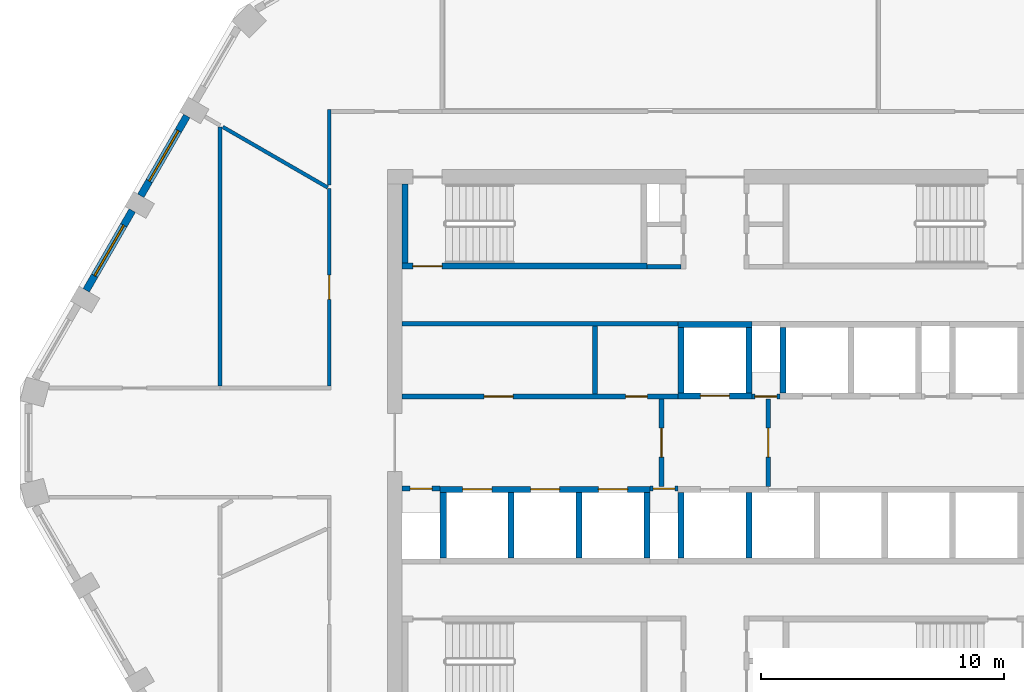
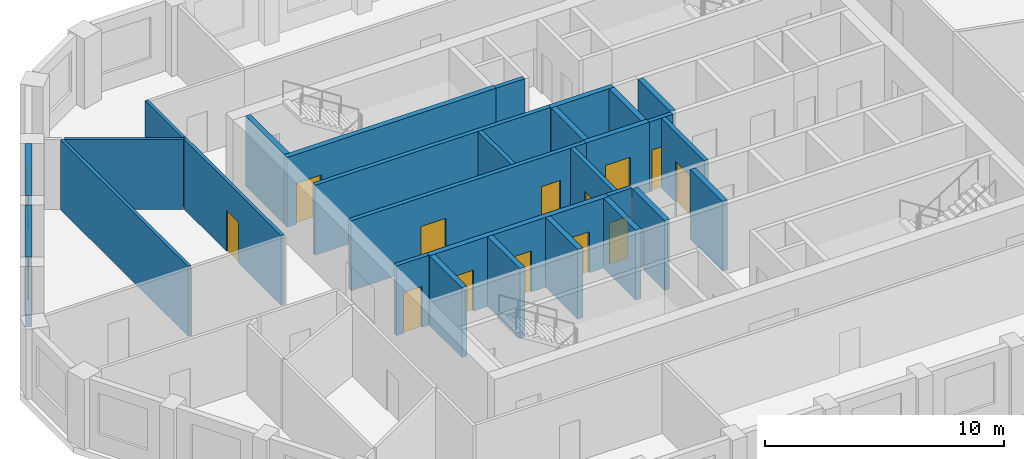
# One storey, part 3 of 10: 29 walls, 13 doors, 2 windows, 15 openings.
"""IFC4 building model written with IfcOpenShell, lengths in metres."""

from ifc_helpers import new_model, si_unit, direction, frame, frame_2d, origin, place, context, subcontext, project, spatial, polyline, rectangle, outline, extrude, material, layer, layer_set, type_object, element, fill, save


model = new_model("IFC4")

# Units and contexts
model_context = context("Model", 3, precision=1e-05, world=origin(), true_north=direction((0.0, 1.0)))
body_context = subcontext(model_context, "Body", "Model", "MODEL_VIEW")
ifc_project = project(units=[si_unit("LENGTHUNIT", "METRE"), si_unit("AREAUNIT", "SQUARE_METRE"), si_unit("VOLUMEUNIT", "CUBIC_METRE"), si_unit("PLANEANGLEUNIT", "RADIAN"), si_unit("MASSUNIT", "GRAM", prefix="KILO")], contexts=[model_context])

# Site, building, storey
site_placement = place(None, origin())
site = spatial("IfcSite", under=ifc_project, at=site_placement, CompositionType="ELEMENT")
building_placement = place(site_placement, origin())
building = spatial("IfcBuilding", under=site, at=building_placement, Name="Dhurran Vertical Campus", CompositionType="ELEMENT")
storey_placement = place(building_placement, frame((0.0, 0.0, 243.0)))
storey = spatial("IfcBuildingStorey", under=building, at=storey_placement, Name="L60", CompositionType="ELEMENT", Elevation=243.0)

# Wall, opening, window
ifc_material_1 = material(Name="Precast concrete C50/60", Category="concrete")
ifc_layer_1 = layer(ifc_material_1, 0.300048828125)
ifc_layer_set_1 = layer_set([ifc_layer_1], Name="Precast concrete C50/60")
wall_type_1 = type_object("IfcWallType", Name="Precast spandrel wall 300", PredefinedType="SOLIDWALL", material=ifc_layer_set_1)
wall_1_placement = place(storey_placement, frame((-21.769287109375, 13.462890625, 0.0), z_axis=(0.0, 0.0, 1.0), x_axis=(-0.499982058975, -0.866035761792, 0.0)))
wall_1 = element("IfcWall", 1, at=wall_1_placement, inside=storey, type_object=wall_type_1, Name="EW1 L60.27", PredefinedType="SOLIDWALL", context=body_context, shape_type="SweptSolid", body=[
    extrude(rectangle(XDim=3.799072265625, YDim=0.300048828125, at=frame_2d((1.8994140625, 0.0))), origin(), (0.0, 0.0, 1.0), 3.574951171875),
])
opening_1_placement = place(wall_1_placement, frame((0.699462890625, 0.0, 0.89990234375)))
opening_1 = element("IfcOpeningElement", 2, at=opening_1_placement, cuts=wall_1, Name="Opening WT1", PredefinedType="OPENING", context=body_context, shape_type="SweptSolid", body=[
    extrude(rectangle(XDim=2.39990234375, YDim=2.10009765625, at=frame_2d((1.199951171875, 1.050048828125))), frame((0.0, 0.159912109375, 0.0), z_axis=(0.0, -1.0, 0.0), x_axis=(1.0, 0.0, 0.0)), (0.0, 0.0, 1.0), 0.320068359375),
])
ifc_material_2 = material(Name="Aluminium frame with solar-control glass", Category="aluminium")
window_type = type_object("IfcWindowType", Name="Punched window 2400 x 2100", PartitioningType="SINGLE_PANEL", PredefinedType="WINDOW", material=ifc_material_2)
window_1_placement = place(opening_1_placement, origin())
window_1 = element("IfcWindow", 3, at=window_1_placement, inside=storey, type_object=window_type, Name="WT1 L60.27", OverallHeight=2.10009765625, OverallWidth=2.39990234375, PartitioningType="SINGLE_PANEL", PredefinedType="WINDOW", context=body_context, shape_type="SweptSolid", body=[
    extrude(rectangle(XDim=2.39990234375, YDim=2.10009765625, at=frame_2d((1.199951171875, 1.050048828125))), frame((0.0, 0.030029296875, 0.0), z_axis=(0.0, -1.0, 0.0), x_axis=(1.0, 0.0, 0.0)), (0.0, 0.0, 1.0), 0.06005859375),
])
fill(opening_1, window_1)

wall_2_placement = place(storey_placement, frame((-24.019287109375, 9.565673828125, 0.0), z_axis=(0.0, 0.0, 1.0), x_axis=(-0.499982058975, -0.866035761792, 0.0)))
wall_2 = element("IfcWall", 4, at=wall_2_placement, inside=storey, type_object=wall_type_1, Name="EW1 L60.28", PredefinedType="SOLIDWALL", context=body_context, shape_type="SweptSolid", body=[
    extrude(rectangle(XDim=3.799072265625, YDim=0.300048828125, at=frame_2d((1.8994140625, 0.0))), origin(), (0.0, 0.0, 1.0), 3.574951171875),
])
opening_2_placement = place(wall_2_placement, frame((0.699462890625, 0.0, 0.89990234375)))
opening_2 = element("IfcOpeningElement", 5, at=opening_2_placement, cuts=wall_2, Name="Opening WT1", PredefinedType="OPENING", context=body_context, shape_type="SweptSolid", body=[
    extrude(rectangle(XDim=2.39990234375, YDim=2.10009765625, at=frame_2d((1.199951171875, 1.050048828125))), frame((0.0, 0.159912109375, 0.0), z_axis=(0.0, -1.0, 0.0), x_axis=(1.0, 0.0, 0.0)), (0.0, 0.0, 1.0), 0.320068359375),
])
window_2_placement = place(opening_2_placement, origin())
window_2 = element("IfcWindow", 6, at=window_2_placement, inside=storey, type_object=window_type, Name="WT1 L60.28", OverallHeight=2.10009765625, OverallWidth=2.39990234375, PartitioningType="SINGLE_PANEL", PredefinedType="WINDOW", context=body_context, shape_type="SweptSolid", body=[
    extrude(rectangle(XDim=2.39990234375, YDim=2.10009765625, at=frame_2d((1.199951171875, 1.050048828125))), frame((0.0, 0.030029296875, 0.0), z_axis=(0.0, -1.0, 0.0), x_axis=(1.0, 0.0, 0.0)), (0.0, 0.0, 1.0), 0.06005859375),
])
fill(opening_2, window_2)

# Wall, opening, door
ifc_material_3 = material(Name="Fire-rated masonry blockwork", Category="masonry")
ifc_layer_2 = layer(ifc_material_3, 0.199951171875)
ifc_layer_set_2 = layer_set([ifc_layer_2], Name="Fire-rated masonry blockwork")
wall_type_2 = type_object("IfcWallType", Name="co-FIRE-PARTITION-200", PredefinedType="PARTITIONING", material=ifc_layer_set_2)
wall_3_placement = place(storey_placement, frame((-2.199951171875, -1.800048828125, 0.0), z_axis=(0.0, 0.0, 1.0), x_axis=(0.0, 1.0, 0.0)))
wall_3 = element("IfcWall", 7, at=wall_3_placement, inside=storey, type_object=wall_type_2, Name="Firefighting lobby wall W L60", PredefinedType="PARTITIONING", context=body_context, shape_type="SweptSolid", body=[
    extrude(rectangle(XDim=3.60009765625, YDim=0.199951171875, at=frame_2d((1.800048828125, 0.0))), origin(), (0.0, 0.0, 1.0), 3.574951171875),
])
opening_3_placement = place(wall_3_placement, frame((1.199951171875, 0.0, 0.0)))
opening_3 = element("IfcOpeningElement", 8, at=opening_3_placement, cuts=wall_3, Name="Opening FL1", PredefinedType="OPENING", context=body_context, shape_type="SweptSolid", body=[
    extrude(rectangle(XDim=1.199951171875, YDim=2.10009765625, at=frame_2d((0.60009765625, 1.050048828125))), frame((0.0, 0.10986328125, 0.0), z_axis=(0.0, -1.0, 0.0), x_axis=(1.0, 0.0, 0.0)), (0.0, 0.0, 1.0), 0.219970703125),
])
ifc_material_4 = material(Name="Fire-rated steel door set", Category="steel")
door_type_1 = type_object("IfcDoorType", Name="co-D-FFLOBBY 1200x2100", OperationType="SINGLE_SWING_LEFT", PredefinedType="DOOR", material=ifc_material_4)
door_1_placement = place(opening_3_placement, origin())
door_1 = element("IfcDoor", 9, at=door_1_placement, inside=storey, type_object=door_type_1, Name="Firefighting lobby door W L60", OperationType="SINGLE_SWING_LEFT", OverallHeight=2.10009765625, OverallWidth=1.199951171875, PredefinedType="DOOR", context=body_context, shape_type="SweptSolid", body=[
    extrude(rectangle(XDim=1.199951171875, YDim=2.10009765625, at=frame_2d((0.60009765625, 1.050048828125))), frame((0.0, 0.02490234375, 0.0), z_axis=(0.0, -1.0, 0.0), x_axis=(1.0, 0.0, 0.0)), (0.0, 0.0, 1.0), 0.050048828125),
])
fill(opening_3, door_1)

wall_4_placement = place(storey_placement, frame((2.199951171875, -1.800048828125, 0.0), z_axis=(0.0, 0.0, 1.0), x_axis=(0.0, 1.0, 0.0)))
wall_4 = element("IfcWall", 10, at=wall_4_placement, inside=storey, type_object=wall_type_2, Name="Firefighting lobby wall E L60", PredefinedType="PARTITIONING", context=body_context, shape_type="SweptSolid", body=[
    extrude(rectangle(XDim=3.60009765625, YDim=0.199951171875, at=frame_2d((1.800048828125, 0.0))), origin(), (0.0, 0.0, 1.0), 3.574951171875),
])
opening_4_placement = place(wall_4_placement, frame((1.199951171875, 0.0, 0.0)))
opening_4 = element("IfcOpeningElement", 11, at=opening_4_placement, cuts=wall_4, Name="Opening FL2", PredefinedType="OPENING", context=body_context, shape_type="SweptSolid", body=[
    extrude(rectangle(XDim=1.199951171875, YDim=2.10009765625, at=frame_2d((0.60009765625, 1.050048828125))), frame((0.0, 0.10986328125, 0.0), z_axis=(0.0, -1.0, 0.0), x_axis=(1.0, 0.0, 0.0)), (0.0, 0.0, 1.0), 0.219970703125),
])
door_2_placement = place(opening_4_placement, origin())
door_2 = element("IfcDoor", 12, at=door_2_placement, inside=storey, type_object=door_type_1, Name="Firefighting lobby door E L60", OperationType="SINGLE_SWING_LEFT", OverallHeight=2.10009765625, OverallWidth=1.199951171875, PredefinedType="DOOR", context=body_context, shape_type="SweptSolid", body=[
    extrude(rectangle(XDim=1.199951171875, YDim=2.10009765625, at=frame_2d((0.60009765625, 1.050048828125))), frame((0.0, 0.02490234375, 0.0), z_axis=(0.0, -1.0, 0.0), x_axis=(1.0, 0.0, 0.0)), (0.0, 0.0, 1.0), 0.050048828125),
])
fill(opening_4, door_2)

# Walls
wall_5_placement = place(storey_placement, frame((-2.800048828125, 7.25, 0.0), z_axis=(0.0, 0.0, 1.0), x_axis=(1.0, 0.0, 0.0)))
element("IfcWall", 13, at=wall_5_placement, inside=storey, type_object=wall_type_2, Name="Core partition sl-NW-S L60", PredefinedType="PARTITIONING", context=body_context, shape_type="SweptSolid", body=[
    extrude(rectangle(XDim=1.400146484375, YDim=0.199951171875, at=frame_2d((0.7001953125, 0.0))), origin(), (0.0, 0.0, 1.0), 3.574951171875),
])
wall_6_placement = place(storey_placement, frame((-4.9375, 2.0, 0.0), z_axis=(0.0, 0.0, 1.0), x_axis=(0.0, 1.0, 0.0)))
element("IfcWall", 14, at=wall_6_placement, inside=storey, type_object=wall_type_2, Name="Core partition fr-N0-cut0 L60", PredefinedType="PARTITIONING", context=body_context, shape_type="SweptSolid", body=[
    extrude(rectangle(XDim=2.800048828125, YDim=0.199951171875, at=frame_2d((1.39990234375, 0.0))), origin(), (0.0, 0.0, 1.0), 3.574951171875),
])

# Wall, openings, doors
wall_7_placement = place(storey_placement, frame((-12.89990234375, 1.89990234375, 0.0), z_axis=(0.0, 0.0, 1.0), x_axis=(1.0, 0.0, 0.0)))
wall_7 = element("IfcWall", 15, at=wall_7_placement, inside=storey, type_object=wall_type_2, Name="Core partition fr-N0-f L60", PredefinedType="PARTITIONING", context=body_context, shape_type="SweptSolid", body=[
    extrude(rectangle(XDim=11.375, YDim=0.199951171875, at=frame_2d((5.6875, 0.0))), origin(), (0.0, 0.0, 1.0), 3.574951171875),
])
opening_5_placement = place(wall_7_placement, frame((3.381103515625, 0.0, 0.0)))
opening_5 = element("IfcOpeningElement", 16, at=opening_5_placement, cuts=wall_7, Name="Opening T17-C8", PredefinedType="OPENING", context=body_context, shape_type="SweptSolid", body=[
    extrude(rectangle(XDim=1.199951171875, YDim=2.10009765625, at=frame_2d((0.60009765625, 1.050048828125))), frame((0.0, 0.10986328125, 0.0), z_axis=(0.0, -1.0, 0.0), x_axis=(1.0, 0.0, 0.0)), (0.0, 0.0, 1.0), 0.219970703125),
])
opening_6_placement = place(wall_7_placement, frame((9.21875, 0.0, 0.0)))
opening_6 = element("IfcOpeningElement", 17, at=opening_6_placement, cuts=wall_7, Name="Opening T17-C9", PredefinedType="OPENING", context=body_context, shape_type="SweptSolid", body=[
    extrude(rectangle(XDim=0.89990234375, YDim=2.10009765625, at=frame_2d((0.449951171875, 1.050048828125))), frame((0.0, 0.10986328125, 0.0), z_axis=(0.0, -1.0, 0.0), x_axis=(1.0, 0.0, 0.0)), (0.0, 0.0, 1.0), 0.219970703125),
])
ifc_material_5 = material(Name="Fire-rated timber door set", Category="wood")
door_type_2 = type_object("IfcDoorType", Name="co-D-ROOM 900x2100", OperationType="SINGLE_SWING_LEFT", PredefinedType="DOOR", material=ifc_material_5)
door_3_placement = place(opening_6_placement, origin())
door_3 = element("IfcDoor", 18, at=door_3_placement, inside=storey, type_object=door_type_2, Name="Cleaner's store door L60", OperationType="SINGLE_SWING_LEFT", OverallHeight=2.10009765625, OverallWidth=0.89990234375, PredefinedType="DOOR", context=body_context, shape_type="SweptSolid", body=[
    extrude(rectangle(XDim=0.89990234375, YDim=2.10009765625, at=frame_2d((0.449951171875, 1.050048828125))), frame((0.0, 0.02490234375, 0.0), z_axis=(0.0, -1.0, 0.0), x_axis=(1.0, 0.0, 0.0)), (0.0, 0.0, 1.0), 0.050048828125),
])
fill(opening_6, door_3)
ifc_material_6 = material(Name="Fire-rated steel door set", Category="steel")
door_type_3 = type_object("IfcDoorType", Name="co-D-ROOM-PASSAGE 1200x2100", OperationType="SINGLE_SWING_RIGHT", PredefinedType="DOOR", material=ifc_material_6)
door_4_placement = place(opening_5_placement, origin())
door_4 = element("IfcDoor", 19, at=door_4_placement, inside=storey, type_object=door_type_3, Name="Print room door L60", OperationType="SINGLE_SWING_RIGHT", OverallHeight=2.10009765625, OverallWidth=1.199951171875, PredefinedType="DOOR", context=body_context, shape_type="SweptSolid", body=[
    extrude(rectangle(XDim=1.199951171875, YDim=2.10009765625, at=frame_2d((0.60009765625, 1.050048828125))), frame((0.0, 0.02490234375, 0.0), z_axis=(0.0, -1.0, 0.0), x_axis=(1.0, 0.0, 0.0)), (0.0, 0.0, 1.0), 0.050048828125),
])
fill(opening_5, door_4)

# Wall
wall_8_placement = place(storey_placement, frame((-12.89990234375, 4.89990234375, 0.0), z_axis=(0.0, 0.0, 1.0), x_axis=(1.0, 0.0, 0.0)))
element("IfcWall", 20, at=wall_8_placement, inside=storey, type_object=wall_type_2, Name="Core partition fr-N0-b L60", PredefinedType="PARTITIONING", context=body_context, shape_type="SweptSolid", body=[
    extrude(rectangle(XDim=11.375, YDim=0.199951171875, at=frame_2d((5.6875, 0.0))), origin(), (0.0, 0.0, 1.0), 3.574951171875),
])

# Wall, opening, door
wall_9_placement = place(storey_placement, frame((1.52490234375, 1.89990234375, 0.0), z_axis=(0.0, 0.0, 1.0), x_axis=(1.0, 0.0, 0.0)))
wall_9 = element("IfcWall", 21, at=wall_9_placement, inside=storey, type_object=wall_type_2, Name="Core partition fr-N1-f L60", PredefinedType="PARTITIONING", context=body_context, shape_type="SweptSolid", body=[
    extrude(rectangle(XDim=1.150146484375, YDim=0.199951171875, at=frame_2d((0.5751953125, 0.0))), origin(), (0.0, 0.0, 1.0), 3.574951171875),
])
opening_7_placement = place(wall_9_placement, frame((0.125, 0.0, 0.0)))
opening_7 = element("IfcOpeningElement", 22, at=opening_7_placement, cuts=wall_9, Name="Opening T17-C10", PredefinedType="OPENING", context=body_context, shape_type="SweptSolid", body=[
    extrude(rectangle(XDim=0.89990234375, YDim=2.10009765625, at=frame_2d((0.449951171875, 1.050048828125))), frame((0.0, 0.10986328125, 0.0), z_axis=(0.0, -1.0, 0.0), x_axis=(1.0, 0.0, 0.0)), (0.0, 0.0, 1.0), 0.219970703125),
])
door_5_placement = place(opening_7_placement, origin())
door_5 = element("IfcDoor", 23, at=door_5_placement, inside=storey, type_object=door_type_2, Name="Communications riser door L60", OperationType="SINGLE_SWING_LEFT", OverallHeight=2.10009765625, OverallWidth=0.89990234375, PredefinedType="DOOR", context=body_context, shape_type="SweptSolid", body=[
    extrude(rectangle(XDim=0.89990234375, YDim=2.10009765625, at=frame_2d((0.449951171875, 1.050048828125))), frame((0.0, 0.02490234375, 0.0), z_axis=(0.0, -1.0, 0.0), x_axis=(1.0, 0.0, 0.0)), (0.0, 0.0, 1.0), 0.050048828125),
])
fill(opening_7, door_5)

wall_10_placement = place(storey_placement, frame((-12.89990234375, -1.89990234375, 0.0), z_axis=(0.0, 0.0, 1.0), x_axis=(1.0, 0.0, 0.0)))
wall_10 = element("IfcWall", 24, at=wall_10_placement, inside=storey, type_object=wall_type_2, Name="Core partition fr-S0-f L60", PredefinedType="PARTITIONING", context=body_context, shape_type="SweptSolid", body=[
    extrude(rectangle(XDim=1.574951171875, YDim=0.199951171875, at=frame_2d((0.78759765625, 0.0))), origin(), (0.0, 0.0, 1.0), 3.574951171875),
])
opening_8_placement = place(wall_10_placement, frame((0.33740234375, 0.0, 0.0)))
opening_8 = element("IfcOpeningElement", 25, at=opening_8_placement, cuts=wall_10, Name="Opening T17-C12", PredefinedType="OPENING", context=body_context, shape_type="SweptSolid", body=[
    extrude(rectangle(XDim=0.89990234375, YDim=2.10009765625, at=frame_2d((0.449951171875, 1.050048828125))), frame((0.0, 0.10986328125, 0.0), z_axis=(0.0, -1.0, 0.0), x_axis=(1.0, 0.0, 0.0)), (0.0, 0.0, 1.0), 0.219970703125),
])
door_6_placement = place(opening_8_placement, origin())
door_6 = element("IfcDoor", 26, at=door_6_placement, inside=storey, type_object=door_type_2, Name="Electrical riser door L60", OperationType="SINGLE_SWING_LEFT", OverallHeight=2.10009765625, OverallWidth=0.89990234375, PredefinedType="DOOR", context=body_context, shape_type="SweptSolid", body=[
    extrude(rectangle(XDim=0.89990234375, YDim=2.10009765625, at=frame_2d((0.449951171875, 1.050048828125))), frame((0.0, 0.02490234375, 0.0), z_axis=(0.0, -1.0, 0.0), x_axis=(1.0, 0.0, 0.0)), (0.0, 0.0, 1.0), 0.050048828125),
])
fill(opening_8, door_6)

wall_11_placement = place(storey_placement, frame((-2.675048828125, -1.89990234375, 0.0), z_axis=(0.0, 0.0, 1.0), x_axis=(1.0, 0.0, 0.0)))
wall_11 = element("IfcWall", 27, at=wall_11_placement, inside=storey, type_object=wall_type_2, Name="Core partition fr-S1-f L60", PredefinedType="PARTITIONING", context=body_context, shape_type="SweptSolid", body=[
    extrude(rectangle(XDim=1.150146484375, YDim=0.199951171875, at=frame_2d((0.5751953125, 0.0))), origin(), (0.0, 0.0, 1.0), 3.574951171875),
])
opening_9_placement = place(wall_11_placement, frame((0.125, 0.0, 0.0)))
opening_9 = element("IfcOpeningElement", 28, at=opening_9_placement, cuts=wall_11, Name="Opening T17-C13", PredefinedType="OPENING", context=body_context, shape_type="SweptSolid", body=[
    extrude(rectangle(XDim=0.89990234375, YDim=2.10009765625, at=frame_2d((0.449951171875, 1.050048828125))), frame((0.0, 0.10986328125, 0.0), z_axis=(0.0, -1.0, 0.0), x_axis=(1.0, 0.0, 0.0)), (0.0, 0.0, 1.0), 0.219970703125),
])
door_7_placement = place(opening_9_placement, origin())
door_7 = element("IfcDoor", 29, at=door_7_placement, inside=storey, type_object=door_type_2, Name="Communications riser door L60", OperationType="SINGLE_SWING_LEFT", OverallHeight=2.10009765625, OverallWidth=0.89990234375, PredefinedType="DOOR", context=body_context, shape_type="SweptSolid", body=[
    extrude(rectangle(XDim=0.89990234375, YDim=2.10009765625, at=frame_2d((0.449951171875, 1.050048828125))), frame((0.0, 0.02490234375, 0.0), z_axis=(0.0, -1.0, 0.0), x_axis=(1.0, 0.0, 0.0)), (0.0, 0.0, 1.0), 0.050048828125),
])
fill(opening_9, door_7)

ifc_material_7 = material(Name="Concrete C50/60", Category="concrete")
ifc_layer_3 = layer(ifc_material_7, 0.25)
ifc_layer_set_3 = layer_set([ifc_layer_3], Name="Concrete C50/60")
wall_type_3 = type_object("IfcWallType", Name="co-SHAFT-FRONT-250", PredefinedType="SHEAR", material=ifc_layer_set_3)
wall_12_placement = place(storey_placement, frame((-1.52490234375, 1.925048828125, 0.0), z_axis=(0.0, 0.0, 1.0), x_axis=(1.0, 0.0, 0.0)))
wall_12 = element("IfcWall", 30, at=wall_12_placement, inside=storey, type_object=wall_type_3, Name="Lift landing wall N L60", PredefinedType="SHEAR", context=body_context, shape_type="SweptSolid", body=[
    extrude(rectangle(XDim=3.0498046875, YDim=0.25, at=frame_2d((1.52490234375, 0.0))), origin(), (0.0, 0.0, 1.0), 3.574951171875),
])
opening_10_placement = place(wall_12_placement, frame((0.925048828125, 0.0, 0.0)))
opening_10 = element("IfcOpeningElement", 31, at=opening_10_placement, cuts=wall_12, Name="Opening LD", PredefinedType="OPENING", context=body_context, shape_type="SweptSolid", body=[
    extrude(rectangle(XDim=1.199951171875, YDim=2.10009765625, at=frame_2d((0.60009765625, 1.050048828125))), frame((0.0, 0.135009765625, 0.0), z_axis=(0.0, -1.0, 0.0), x_axis=(1.0, 0.0, 0.0)), (0.0, 0.0, 1.0), 0.27001953125),
])
ifc_material_8 = material(Name="Stainless steel landing door", Category="steel")
door_type_4 = type_object("IfcDoorType", Name="co-D-LANDING 1200x2100", OperationType="DOUBLE_DOOR_SLIDING", PredefinedType="DOOR", material=ifc_material_8)
door_8_placement = place(opening_10_placement, origin())
door_8 = element("IfcDoor", 32, at=door_8_placement, inside=storey, type_object=door_type_4, Name="Landing door FF1 L60", OperationType="DOUBLE_DOOR_SLIDING", OverallHeight=2.10009765625, OverallWidth=1.199951171875, PredefinedType="DOOR", context=body_context, shape_type="SweptSolid", body=[
    extrude(rectangle(XDim=1.199951171875, YDim=2.10009765625, at=frame_2d((0.60009765625, 1.050048828125))), frame((0.0, 0.02490234375, 0.0), z_axis=(0.0, -1.0, 0.0), x_axis=(1.0, 0.0, 0.0)), (0.0, 0.0, 1.0), 0.050048828125),
])
fill(opening_10, door_8)

# Wall, openings, doors
wall_13_placement = place(storey_placement, frame((-11.324951171875, -1.925048828125, 0.0), z_axis=(0.0, 0.0, 1.0), x_axis=(1.0, 0.0, 0.0)))
wall_13 = element("IfcWall", 33, at=wall_13_placement, inside=storey, type_object=wall_type_3, Name="Lift landing wall S L60", PredefinedType="SHEAR", context=body_context, shape_type="SweptSolid", body=[
    extrude(rectangle(XDim=8.64990234375, YDim=0.25, at=frame_2d((4.324951171875, 0.0))), origin(), (0.0, 0.0, 1.0), 3.574951171875),
])
opening_11_placement = place(wall_13_placement, frame((0.925048828125, 0.0, 0.0)))
opening_11 = element("IfcOpeningElement", 34, at=opening_11_placement, cuts=wall_13, Name="Opening LD", PredefinedType="OPENING", context=body_context, shape_type="SweptSolid", body=[
    extrude(rectangle(XDim=1.199951171875, YDim=2.10009765625, at=frame_2d((0.60009765625, 1.050048828125))), frame((0.0, 0.135009765625, 0.0), z_axis=(0.0, -1.0, 0.0), x_axis=(1.0, 0.0, 0.0)), (0.0, 0.0, 1.0), 0.27001953125),
])
opening_12_placement = place(wall_13_placement, frame((3.72509765625, 0.0, 0.0)))
opening_12 = element("IfcOpeningElement", 35, at=opening_12_placement, cuts=wall_13, Name="Opening LD", PredefinedType="OPENING", context=body_context, shape_type="SweptSolid", body=[
    extrude(rectangle(XDim=1.199951171875, YDim=2.10009765625, at=frame_2d((0.60009765625, 1.050048828125))), frame((0.0, 0.135009765625, 0.0), z_axis=(0.0, -1.0, 0.0), x_axis=(1.0, 0.0, 0.0)), (0.0, 0.0, 1.0), 0.27001953125),
])
opening_13_placement = place(wall_13_placement, frame((6.52490234375, 0.0, 0.0)))
opening_13 = element("IfcOpeningElement", 36, at=opening_13_placement, cuts=wall_13, Name="Opening LD", PredefinedType="OPENING", context=body_context, shape_type="SweptSolid", body=[
    extrude(rectangle(XDim=1.199951171875, YDim=2.10009765625, at=frame_2d((0.60009765625, 1.050048828125))), frame((0.0, 0.135009765625, 0.0), z_axis=(0.0, -1.0, 0.0), x_axis=(1.0, 0.0, 0.0)), (0.0, 0.0, 1.0), 0.27001953125),
])
door_9_placement = place(opening_11_placement, origin())
door_9 = element("IfcDoor", 37, at=door_9_placement, inside=storey, type_object=door_type_4, Name="Landing door HR3 L60", OperationType="DOUBLE_DOOR_SLIDING", OverallHeight=2.10009765625, OverallWidth=1.199951171875, PredefinedType="DOOR", context=body_context, shape_type="SweptSolid", body=[
    extrude(rectangle(XDim=1.199951171875, YDim=2.10009765625, at=frame_2d((0.60009765625, 1.050048828125))), frame((0.0, 0.02490234375, 0.0), z_axis=(0.0, -1.0, 0.0), x_axis=(1.0, 0.0, 0.0)), (0.0, 0.0, 1.0), 0.050048828125),
])
fill(opening_11, door_9)
door_10_placement = place(opening_12_placement, origin())
door_10 = element("IfcDoor", 38, at=door_10_placement, inside=storey, type_object=door_type_4, Name="Landing door HR4 L60", OperationType="DOUBLE_DOOR_SLIDING", OverallHeight=2.10009765625, OverallWidth=1.199951171875, PredefinedType="DOOR", context=body_context, shape_type="SweptSolid", body=[
    extrude(rectangle(XDim=1.199951171875, YDim=2.10009765625, at=frame_2d((0.60009765625, 1.050048828125))), frame((0.0, 0.02490234375, 0.0), z_axis=(0.0, -1.0, 0.0), x_axis=(1.0, 0.0, 0.0)), (0.0, 0.0, 1.0), 0.050048828125),
])
fill(opening_12, door_10)
door_11_placement = place(opening_13_placement, origin())
door_11 = element("IfcDoor", 39, at=door_11_placement, inside=storey, type_object=door_type_4, Name="Landing door HR5 L60", OperationType="DOUBLE_DOOR_SLIDING", OverallHeight=2.10009765625, OverallWidth=1.199951171875, PredefinedType="DOOR", context=body_context, shape_type="SweptSolid", body=[
    extrude(rectangle(XDim=1.199951171875, YDim=2.10009765625, at=frame_2d((0.60009765625, 1.050048828125))), frame((0.0, 0.02490234375, 0.0), z_axis=(0.0, -1.0, 0.0), x_axis=(1.0, 0.0, 0.0)), (0.0, 0.0, 1.0), 0.050048828125),
])
fill(opening_13, door_11)

# Walls
ifc_material_9 = material(Name="Concrete C50/60", Category="concrete")
ifc_layer_4 = layer(ifc_material_9, 0.25)
ifc_layer_set_4 = layer_set([ifc_layer_4], Name="Concrete C50/60")
wall_type_4 = type_object("IfcWallType", Name="co-SHAFT-MASS-250", PredefinedType="SHEAR", material=ifc_layer_set_4)
wall_14_placement = place(storey_placement, origin())
element("IfcWall", 40, at=wall_14_placement, inside=storey, type_object=wall_type_4, Name="Lift shaft wall N L60 1", PredefinedType="SHEAR", context=body_context, shape_type="SweptSolid", body=[
    extrude(outline(polyline([(-1.52490234375, 4.75), (1.52490234375, 4.75), (1.52490234375, 5.0), (-1.52490234375, 5.0), (-1.52490234375, 4.75)])), origin(), (0.0, 0.0, 1.0), 3.574951171875),
])
wall_15_placement = place(storey_placement, origin())
element("IfcWall", 41, at=wall_15_placement, inside=storey, type_object=wall_type_4, Name="Lift shaft wall N L60 4", PredefinedType="SHEAR", context=body_context, shape_type="SweptSolid", body=[
    extrude(outline(polyline([(-1.52490234375, 2.050048828125), (-1.27490234375, 2.050048828125), (-1.27490234375, 4.75), (-1.52490234375, 4.75), (-1.52490234375, 2.050048828125)])), origin(), (0.0, 0.0, 1.0), 3.574951171875),
])
wall_16_placement = place(storey_placement, origin())
element("IfcWall", 42, at=wall_16_placement, inside=storey, type_object=wall_type_4, Name="Lift shaft wall N L60 5", PredefinedType="SHEAR", context=body_context, shape_type="SweptSolid", body=[
    extrude(outline(polyline([(1.27490234375, 2.050048828125), (1.52490234375, 2.050048828125), (1.52490234375, 4.75), (1.27490234375, 4.75), (1.27490234375, 2.050048828125)])), origin(), (0.0, 0.0, 1.0), 3.574951171875),
])
wall_17_placement = place(storey_placement, origin())
element("IfcWall", 43, at=wall_17_placement, inside=storey, type_object=wall_type_4, Name="Lift shaft wall N L60 6", PredefinedType="SHEAR", context=body_context, shape_type="SweptSolid", body=[
    extrude(outline(polyline([(2.675048828125, 2.050048828125), (2.925048828125, 2.050048828125), (2.925048828125, 4.75), (2.675048828125, 4.75), (2.675048828125, 2.050048828125)])), origin(), (0.0, 0.0, 1.0), 3.574951171875),
])
wall_18_placement = place(storey_placement, origin())
element("IfcWall", 44, at=wall_18_placement, inside=storey, type_object=wall_type_4, Name="Lift shaft wall S L60 3", PredefinedType="SHEAR", context=body_context, shape_type="SweptSolid", body=[
    extrude(outline(polyline([(-11.324951171875, -4.75), (-11.074951171875, -4.75), (-11.074951171875, -2.050048828125), (-11.324951171875, -2.050048828125), (-11.324951171875, -4.75)])), origin(), (0.0, 0.0, 1.0), 3.574951171875),
])
wall_19_placement = place(storey_placement, origin())
element("IfcWall", 45, at=wall_19_placement, inside=storey, type_object=wall_type_4, Name="Lift shaft wall S L60 4", PredefinedType="SHEAR", context=body_context, shape_type="SweptSolid", body=[
    extrude(outline(polyline([(-8.52490234375, -4.75), (-8.27490234375, -4.75), (-8.27490234375, -2.050048828125), (-8.52490234375, -2.050048828125), (-8.52490234375, -4.75)])), origin(), (0.0, 0.0, 1.0), 3.574951171875),
])
wall_20_placement = place(storey_placement, origin())
element("IfcWall", 46, at=wall_20_placement, inside=storey, type_object=wall_type_4, Name="Lift shaft wall S L60 5", PredefinedType="SHEAR", context=body_context, shape_type="SweptSolid", body=[
    extrude(outline(polyline([(-5.72509765625, -4.75), (-5.47509765625, -4.75), (-5.47509765625, -2.050048828125), (-5.72509765625, -2.050048828125), (-5.72509765625, -4.75)])), origin(), (0.0, 0.0, 1.0), 3.574951171875),
])
wall_21_placement = place(storey_placement, origin())
element("IfcWall", 47, at=wall_21_placement, inside=storey, type_object=wall_type_4, Name="Lift shaft wall S L60 6", PredefinedType="SHEAR", context=body_context, shape_type="SweptSolid", body=[
    extrude(outline(polyline([(-2.925048828125, -4.75), (-2.675048828125, -4.75), (-2.675048828125, -2.050048828125), (-2.925048828125, -2.050048828125), (-2.925048828125, -4.75)])), origin(), (0.0, 0.0, 1.0), 3.574951171875),
])
wall_22_placement = place(storey_placement, origin())
element("IfcWall", 48, at=wall_22_placement, inside=storey, type_object=wall_type_4, Name="Lift shaft wall S L60 7", PredefinedType="SHEAR", context=body_context, shape_type="SweptSolid", body=[
    extrude(outline(polyline([(-1.52490234375, -4.75), (-1.27490234375, -4.75), (-1.27490234375, -2.050048828125), (-1.52490234375, -2.050048828125), (-1.52490234375, -4.75)])), origin(), (0.0, 0.0, 1.0), 3.574951171875),
])
wall_23_placement = place(storey_placement, origin())
element("IfcWall", 49, at=wall_23_placement, inside=storey, type_object=wall_type_4, Name="Lift shaft wall S L60 8", PredefinedType="SHEAR", context=body_context, shape_type="SweptSolid", body=[
    extrude(outline(polyline([(1.27490234375, -4.75), (1.52490234375, -4.75), (1.52490234375, -2.050048828125), (1.27490234375, -2.050048828125), (1.27490234375, -4.75)])), origin(), (0.0, 0.0, 1.0), 3.574951171875),
])

# Wall, opening, door
ifc_material_10 = material(Name="Concrete C40/50", Category="concrete")
ifc_layer_5 = layer(ifc_material_10, 0.25)
ifc_layer_set_5 = layer_set([ifc_layer_5], Name="Concrete C40/50")
wall_type_5 = type_object("IfcWallType", Name="co-STAIR-WALL-250", PredefinedType="SHEAR", material=ifc_layer_set_5)
wall_24_placement = place(storey_placement, frame((-12.89990234375, 7.27490234375, 0.0), z_axis=(0.0, 0.0, 1.0), x_axis=(1.0, 0.0, 0.0)))
wall_24 = element("IfcWall", 50, at=wall_24_placement, inside=storey, type_object=wall_type_5, Name="Stair ST1 enclosure wall L60", PredefinedType="SHEAR", context=body_context, shape_type="SweptSolid", body=[
    extrude(rectangle(XDim=10.099853515625, YDim=0.25, at=frame_2d((5.0498046875, 0.0))), origin(), (0.0, 0.0, 1.0), 3.574951171875),
])
opening_14_placement = place(wall_24_placement, frame((0.449951171875, 0.0, 0.0)))
opening_14 = element("IfcOpeningElement", 51, at=opening_14_placement, cuts=wall_24, Name="Opening SD1", PredefinedType="OPENING", context=body_context, shape_type="SweptSolid", body=[
    extrude(rectangle(XDim=1.199951171875, YDim=2.10009765625, at=frame_2d((0.60009765625, 1.050048828125))), frame((0.0, 0.135009765625, 0.0), z_axis=(0.0, -1.0, 0.0), x_axis=(1.0, 0.0, 0.0)), (0.0, 0.0, 1.0), 0.27001953125),
])
ifc_material_11 = material(Name="Fire-rated steel door set", Category="steel")
door_type_5 = type_object("IfcDoorType", Name="co-D-STAIR 1200x2100", OperationType="SINGLE_SWING_LEFT", PredefinedType="DOOR", material=ifc_material_11)
door_12_placement = place(opening_14_placement, origin())
door_12 = element("IfcDoor", 52, at=door_12_placement, inside=storey, type_object=door_type_5, Name="Stair ST1 door L60", OperationType="SINGLE_SWING_LEFT", OverallHeight=2.10009765625, OverallWidth=1.199951171875, PredefinedType="DOOR", context=body_context, shape_type="SweptSolid", body=[
    extrude(rectangle(XDim=1.199951171875, YDim=2.10009765625, at=frame_2d((0.60009765625, 1.050048828125))), frame((0.0, 0.02490234375, 0.0), z_axis=(0.0, -1.0, 0.0), x_axis=(1.0, 0.0, 0.0)), (0.0, 0.0, 1.0), 0.050048828125),
])
fill(opening_14, door_12)

# Wall
wall_25_placement = place(storey_placement, frame((-12.77490234375, 7.39990234375, 0.0), z_axis=(0.0, 0.0, 1.0), x_axis=(0.0, 1.0, 0.0)))
element("IfcWall", 53, at=wall_25_placement, inside=storey, type_object=wall_type_5, Name="Stair ST1 enclosure wall L60", PredefinedType="SHEAR", context=body_context, shape_type="SweptSolid", body=[
    extrude(rectangle(XDim=3.25, YDim=0.25, at=frame_2d((1.625, 0.0))), origin(), (0.0, 0.0, 1.0), 3.574951171875),
])

# Wall, opening, door
ifc_material_12 = material(Name="Gypsum board corridor wall on steel studs", Category="steel")
ifc_layer_6 = layer(ifc_material_12, 0.14990234375)
ifc_layer_set_6 = layer_set([ifc_layer_6], Name="Gypsum board corridor wall on steel studs")
wall_type_6 = type_object("IfcWallType", Name="fl-CW-150 corridor wall", PredefinedType="PARTITIONING", material=ifc_layer_set_6)
wall_26_placement = place(storey_placement, frame((-15.89990234375, 10.47900390625, 0.0), z_axis=(0.0, 0.0, 1.0), x_axis=(0.0, -1.0, 0.0)))
wall_26 = element("IfcWall", 54, at=wall_26_placement, inside=storey, type_object=wall_type_6, Name="Partition 60-18", PredefinedType="PARTITIONING", context=body_context, shape_type="SweptSolid", body=[
    extrude(rectangle(XDim=8.154052734375, YDim=0.14990234375, at=frame_2d((4.0771484375, 0.0))), origin(), (0.0, 0.0, 1.0), 3.574951171875),
])
opening_15_placement = place(wall_26_placement, frame((3.576904296875, 0.0, 0.0)))
opening_15 = element("IfcOpeningElement", 55, at=opening_15_placement, cuts=wall_26, Name="Opening T17.04", PredefinedType="OPENING", context=body_context, shape_type="SweptSolid", body=[
    extrude(rectangle(XDim=1.0, YDim=2.10009765625, at=frame_2d((0.5, 1.050048828125))), frame((0.0, 0.0849609375, 0.0), z_axis=(0.0, -1.0, 0.0), x_axis=(1.0, 0.0, 0.0)), (0.0, 0.0, 1.0), 0.169921875),
])
ifc_material_13 = material(Name="Solid-core timber door set, fire-rated", Category="wood")
door_type_6 = type_object("IfcDoorType", Name="fl-D-1000x2100", OperationType="SINGLE_SWING_LEFT", PredefinedType="DOOR", material=ifc_material_13)
door_13_placement = place(opening_15_placement, origin())
door_13 = element("IfcDoor", 56, at=door_13_placement, inside=storey, type_object=door_type_6, Name="Door 60.04", OperationType="SINGLE_SWING_LEFT", OverallHeight=2.10009765625, OverallWidth=1.0, PredefinedType="DOOR", context=body_context, shape_type="SweptSolid", body=[
    extrude(rectangle(XDim=1.0, YDim=2.10009765625, at=frame_2d((0.5, 1.050048828125))), frame((0.0, 0.02490234375, 0.0), z_axis=(0.0, -1.0, 0.0), x_axis=(1.0, 0.0, 0.0)), (0.0, 0.0, 1.0), 0.050048828125),
])
fill(opening_15, door_13)

# Walls
wall_27_placement = place(storey_placement, frame((-15.89990234375, 13.72509765625, 0.0), z_axis=(0.0, 0.0, 1.0), x_axis=(0.0, -1.0, 0.0)))
element("IfcWall", 57, at=wall_27_placement, inside=storey, type_object=wall_type_6, Name="Partition 60-19", PredefinedType="PARTITIONING", context=body_context, shape_type="SweptSolid", body=[
    extrude(rectangle(XDim=3.1162109375, YDim=0.14990234375, at=frame_2d((1.55810546875, 0.0))), origin(), (0.0, 0.0, 1.0), 3.574951171875),
])
ifc_material_14 = material(Name="Gypsum board partition on steel studs", Category="steel")
ifc_layer_7 = layer(ifc_material_14, 0.14990234375)
ifc_layer_set_7 = layer_set([ifc_layer_7], Name="Gypsum board partition on steel studs")
wall_type_7 = type_object("IfcWallType", Name="fl-PW-150 fixed partition", PredefinedType="PARTITIONING", material=ifc_layer_set_7)
wall_28_placement = place(storey_placement, frame((-20.39990234375, 13.001953125, 0.0), z_axis=(0.0, 0.0, 1.0), x_axis=(0.0, -1.0, 0.0)))
element("IfcWall", 58, at=wall_28_placement, inside=storey, type_object=wall_type_7, Name="Partition 60-10", PredefinedType="PARTITIONING", context=body_context, shape_type="SweptSolid", body=[
    extrude(rectangle(XDim=10.677001953125, YDim=0.14990234375, at=frame_2d((5.33837890625, 0.0))), origin(), (0.0, 0.0, 1.0), 3.574951171875),
])
wall_29_placement = place(storey_placement, frame((-20.287353515625, 13.011962890625, 0.0), z_axis=(0.0, 0.0, 1.0), x_axis=(0.866034070548, -0.499984988425, 0.0)))
element("IfcWall", 59, at=wall_29_placement, inside=storey, type_object=wall_type_7, Name="Partition 60-12", PredefinedType="PARTITIONING", context=body_context, shape_type="SweptSolid", body=[
    extrude(rectangle(XDim=4.990966796875, YDim=0.14990234375, at=frame_2d((2.49560546875, 0.0))), origin(), (0.0, 0.0, 1.0), 3.574951171875),
])

save(model, "model.ifc")
